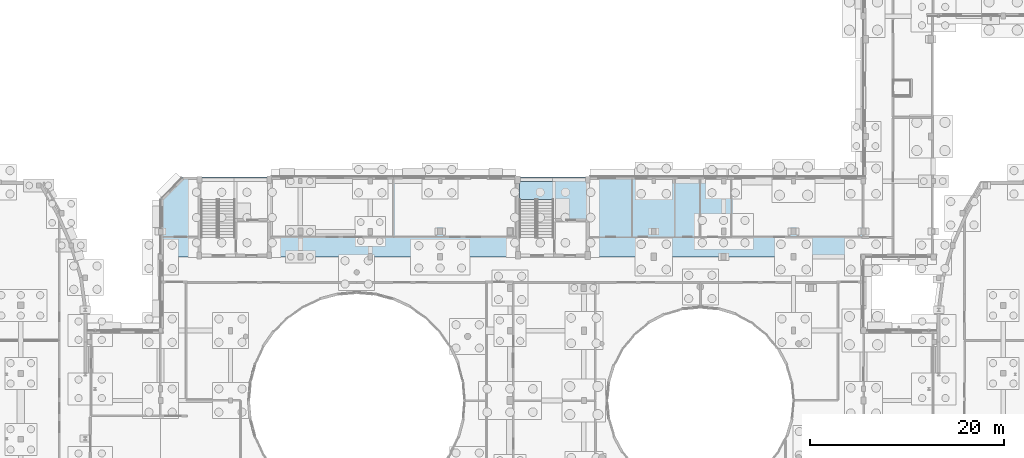
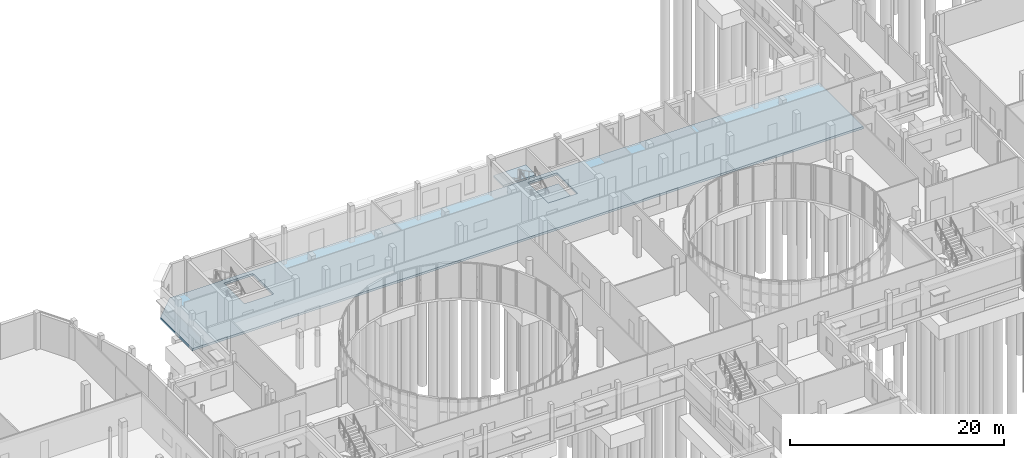
# One storey, part 58 of 93: 3 slabs, 1 element without a shape of its own.
"""IFC4 building model written with IfcOpenShell, lengths in metres."""

from ifc_helpers import new_model, si_unit, direction, frame, origin, place, context, subcontext, project, spatial, polyline, outline, extrude, material, layer, layer_set, type_object, element, aggregate, save


model = new_model("IFC4")

# Units and contexts
model_context = context("Model", 3, precision=1e-05, world=origin(), true_north=direction((0.0, 1.0)))
body_context = subcontext(model_context, "Body", "Model", "MODEL_VIEW")
ifc_project = project(units=[si_unit("LENGTHUNIT", "METRE"), si_unit("AREAUNIT", "SQUARE_METRE"), si_unit("VOLUMEUNIT", "CUBIC_METRE"), si_unit("PLANEANGLEUNIT", "RADIAN"), si_unit("MASSUNIT", "GRAM", prefix="KILO")], contexts=[model_context])

# Site, building, storey
site_placement = place(None, origin())
site = spatial("IfcSite", under=ifc_project, at=site_placement, CompositionType="ELEMENT")
building_placement = place(site_placement, origin())
building = spatial("IfcBuilding", under=site, at=building_placement, Name="Kelanivale Promenade Academy", CompositionType="ELEMENT")
storey_placement = place(building_placement, origin())
storey = spatial("IfcBuildingStorey", under=building, at=storey_placement, Name="L00", CompositionType="ELEMENT", Elevation=0.0)

# Slabs
ifc_material = material(Name="Concrete C35/45", Category="concrete")
ifc_layer_1 = layer(ifc_material, 0.25)
ifc_layer_set_1 = layer_set([ifc_layer_1], Name="Concrete C35/45")
slab_type_1 = type_object("IfcSlabType", Name="BS-01 Slab 250mm", PredefinedType="BASESLAB", material=ifc_layer_set_1)
slab_1_placement = place(storey_placement, frame((0.0, 0.0, -0.25)))
element("IfcSlab", 1, at=slab_1_placement, inside=storey, type_object=slab_type_1, Name="L00 structural slab SLB-L00-V4N", PredefinedType="BASESLAB", context=body_context, shape_type="SweptSolid", body=[
    extrude(outline(polyline([(43.199951171875, 71.60009765625), (115.60009765625, 71.60009765625), (115.60009765625, 79.85009765625), (45.510009765625, 79.85009765625), (43.199951171875, 77.5400390625), (43.199951171875, 71.60009765625)]), holes=[polyline([(83.885009765625, 79.385009765625), (87.034912109375, 79.385009765625), (87.034912109375, 75.52490234375), (83.885009765625, 75.52490234375), (83.885009765625, 79.385009765625)]), polyline([(54.235107421875, 75.52490234375), (51.0849609375, 75.52490234375), (51.0849609375, 79.385009765625), (54.235107421875, 79.385009765625), (54.235107421875, 75.52490234375)])]), origin(), (0.0, 0.0, 1.0), 0.25),
])
ifc_layer_2 = layer(ifc_material, 0.300048828125)
ifc_layer_set_2 = layer_set([ifc_layer_2], Name="Concrete C35/45")
slab_type_2 = type_object("IfcSlabType", Name="BS-02 Slab 300mm", PredefinedType="BASESLAB", material=ifc_layer_set_2)
slab_2_placement = place(storey_placement, frame((0.0, 0.0, -1.85009765625)))
element("IfcSlab", 2, at=slab_2_placement, inside=storey, type_object=slab_type_2, Name="CORE-2 lift pit waterproof RC base slab (-1.550 m)", PredefinedType="BASESLAB", context=body_context, shape_type="SweptSolid", body=[
    extrude(outline(polyline([(83.554931640625, 75.195068359375), (87.364990234375, 75.195068359375), (87.364990234375, 79.715087890625), (83.554931640625, 79.715087890625), (83.554931640625, 75.195068359375)])), origin(), (0.0, 0.0, 1.0), 0.300048828125),
])

# Stair, slab
stair_type = type_object("IfcStairType", Name="ST-T01 Protected dog-leg ground-storey stai", PredefinedType="HALF_TURN_STAIR", material=ifc_material)
stair_placement = place(storey_placement, origin())
stair = element("IfcStair", 3, at=stair_placement, inside=storey, type_object=stair_type, Name="L00 ST-02", PredefinedType="HALF_TURN_STAIR")
ifc_layer_3 = layer(ifc_material, 0.199951171875)
ifc_layer_set_3 = layer_set([ifc_layer_3], Name="Concrete C35/45")
slab_type_3 = type_object("IfcSlabType", Name="LS-01 Slab 200mm", PredefinedType="LANDING", material=ifc_layer_set_3)
slab_3_placement = place(storey_placement, frame((0.0, 0.0, 1.89990234375)))
slab_3 = element("IfcSlab", 4, at=slab_3_placement, type_object=slab_type_3, Name="ST-02 landing 1", PredefinedType="LANDING", context=body_context, shape_type="SweptSolid", body=[
    extrude(outline(polyline([(83.6650390625, 77.5048828125), (83.6650390625, 79.385009765625), (80.1650390625, 79.385009765625), (80.1650390625, 77.5048828125), (83.6650390625, 77.5048828125)])), origin(), (0.0, 0.0, 1.0), 0.2001953125),
])
aggregate(stair, [slab_3])

save(model, "model.ifc")
